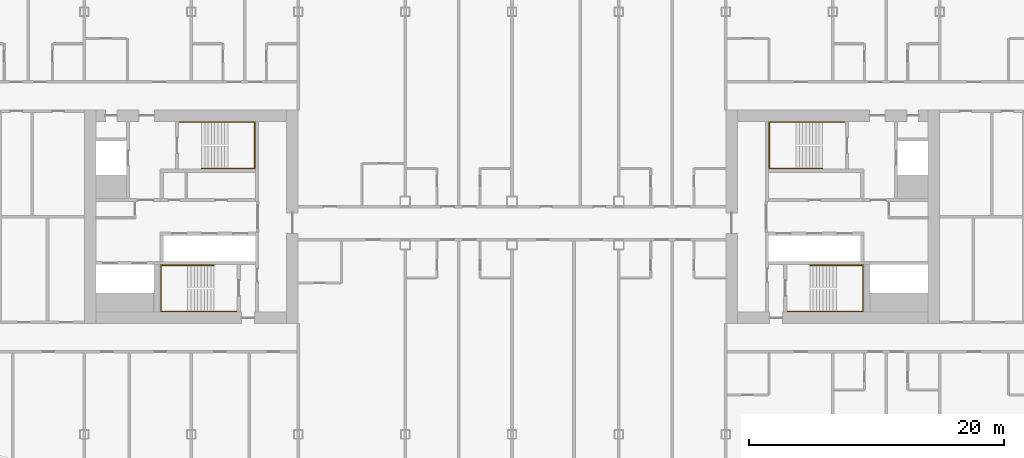
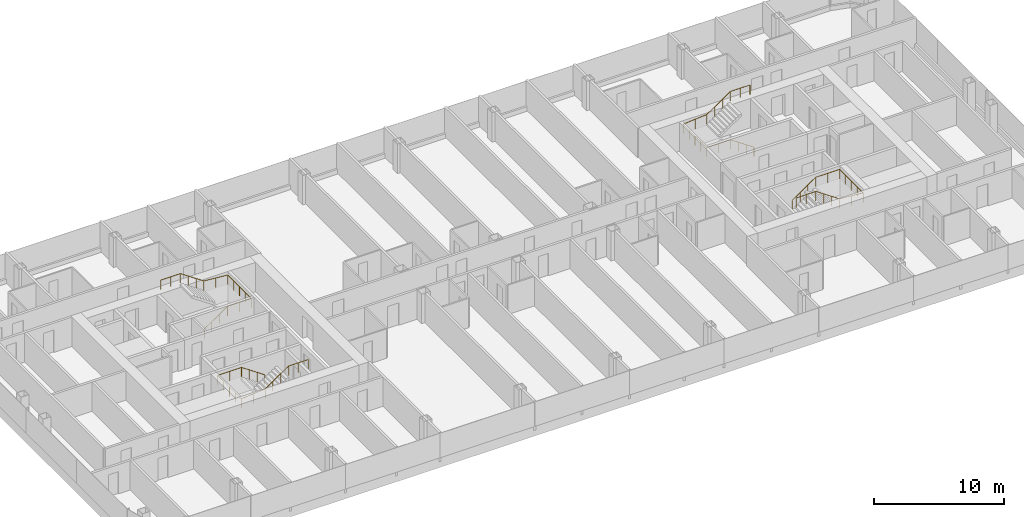
# One storey, part 26 of 26: 4 railings.
"""IFC4 building model written with IfcOpenShell, lengths in metres."""

from ifc_helpers import new_model, si_unit, direction, frame, origin, origin_2d, place, context, subcontext, project, spatial, circle, extrude, material, type_object, element, save


model = new_model("IFC4")

# Units and contexts
model_context = context("Model", 3, precision=1e-05, world=origin(), true_north=direction((0.0, 1.0)))
body_context = subcontext(model_context, "Body", "Model", "MODEL_VIEW")
ifc_project = project(units=[si_unit("LENGTHUNIT", "METRE"), si_unit("AREAUNIT", "SQUARE_METRE"), si_unit("VOLUMEUNIT", "CUBIC_METRE"), si_unit("PLANEANGLEUNIT", "RADIAN"), si_unit("MASSUNIT", "GRAM", prefix="KILO")], contexts=[model_context])

# Site, building, storey
site_placement = place(None, origin())
site = spatial("IfcSite", under=ifc_project, at=site_placement, CompositionType="ELEMENT")
building_placement = place(site_placement, origin())
building = spatial("IfcBuilding", under=site, at=building_placement, Name="Hakoniwa Tower and Hamabe Station Hall", CompositionType="ELEMENT")
storey_placement = place(building_placement, frame((0.0, 0.0, 169.39990234375)))
storey = spatial("IfcBuildingStorey", under=building, at=storey_placement, Name="L48", CompositionType="ELEMENT", Elevation=169.39990234375)

# Railings
ifc_material = material(Name="Stainless steel SUS304", Category="steel")
railing_type = type_object("IfcRailingType", Name="STAIR HANDRAIL 900", PredefinedType="HANDRAIL", material=ifc_material)
railing_1_placement = place(storey_placement, frame((-24.39990234375, 3.81005859375, 0.177978515625)))
element("IfcRailing", 1, at=railing_1_placement, inside=storey, type_object=railing_type, Name="Handrail ST-1 L48 1", PredefinedType="HANDRAIL", context=body_context, shape_type="SweptSolid", body=[
    extrude(circle(Radius=0.02392578125, at=origin_2d()), frame((0.0, 0.0, 0.8759765625), z_axis=(0.825478349766, 0.0, 0.564433781827), x_axis=(0.0, 1.0, 0.0)), (0.0, 0.0, 1.0), 2.51953125),
    extrude(circle(Radius=0.02392578125, at=origin_2d()), frame((2.079833984375, 0.0, 2.2978515625), z_axis=(1.0, 0.0, 0.0), x_axis=(0.0, 1.0, 0.0)), (0.0, 0.0, 1.0), 2.110107421875),
    extrude(circle(Radius=0.02392578125, at=origin_2d()), frame((4.18994140625, 0.0, 2.2978515625), z_axis=(0.0, 1.0, 0.0), x_axis=(-1.0, 0.0, 0.0)), (0.0, 0.0, 1.0), 3.6298828125),
    extrude(circle(Radius=0.02392578125, at=origin_2d()), frame((4.18994140625, 3.6298828125, 2.2978515625), z_axis=(-0.996471417081, 0.0, 0.083932800143), x_axis=(0.0, -1.0, 0.0)), (0.0, 0.0, 1.0), 2.11767578125),
    extrude(circle(Radius=0.02392578125, at=origin_2d()), frame((2.079833984375, 3.6298828125, 2.4755859375), z_axis=(-0.825433201882, 0.0, 0.564499804456), x_axis=(0.0, -1.0, 0.0)), (0.0, 0.0, 1.0), 2.519775390625),
    extrude(circle(Radius=0.02392578125, at=origin_2d()), frame((0.0, 3.6298828125, 3.89794921875), z_axis=(-1.0, 0.0, 0.0), x_axis=(0.0, -1.0, 0.0)), (0.0, 0.0, 1.0), 1.739990234375),
    extrude(circle(Radius=0.02099609375, at=origin_2d()), origin(), (0.0, 0.0, 1.0), 0.851806640625),
    extrude(circle(Radius=0.02099609375, at=origin_2d()), frame((0.693359375, 0.0, 0.47412109375)), (0.0, 0.0, 1.0), 0.851806640625),
    extrude(circle(Radius=0.02099609375, at=origin_2d()), frame((1.386474609375, 0.0, 0.947998046875)), (0.0, 0.0, 1.0), 0.851806640625),
    extrude(circle(Radius=0.02099609375, at=origin_2d()), frame((2.079833984375, 0.0, 1.422119140625)), (0.0, 0.0, 1.0), 0.851806640625),
    extrude(circle(Radius=0.02099609375, at=origin_2d()), frame((3.134765625, 0.0, 1.422119140625)), (0.0, 0.0, 1.0), 0.851806640625),
    extrude(circle(Radius=0.02099609375, at=origin_2d()), frame((4.18994140625, 0.0, 1.422119140625)), (0.0, 0.0, 1.0), 0.851806640625),
    extrude(circle(Radius=0.02099609375, at=origin_2d()), frame((4.18994140625, 0.907470703125, 1.422119140625)), (0.0, 0.0, 1.0), 0.851806640625),
    extrude(circle(Radius=0.02099609375, at=origin_2d()), frame((4.18994140625, 1.81494140625, 1.422119140625)), (0.0, 0.0, 1.0), 0.851806640625),
    extrude(circle(Radius=0.02099609375, at=origin_2d()), frame((4.18994140625, 2.722412109375, 1.422119140625)), (0.0, 0.0, 1.0), 0.851806640625),
    extrude(circle(Radius=0.02099609375, at=origin_2d()), frame((4.18994140625, 3.6298828125, 1.422119140625)), (0.0, 0.0, 1.0), 0.851806640625),
    extrude(circle(Radius=0.02099609375, at=origin_2d()), frame((3.134765625, 3.6298828125, 1.510986328125)), (0.0, 0.0, 1.0), 0.851806640625),
    extrude(circle(Radius=0.02099609375, at=origin_2d()), frame((2.079833984375, 3.6298828125, 1.599853515625)), (0.0, 0.0, 1.0), 0.851806640625),
    extrude(circle(Radius=0.02099609375, at=origin_2d()), frame((1.386474609375, 3.6298828125, 2.073974609375)), (0.0, 0.0, 1.0), 0.851806640625),
    extrude(circle(Radius=0.02099609375, at=origin_2d()), frame((0.693359375, 3.6298828125, 2.548095703125)), (0.0, 0.0, 1.0), 0.851806640625),
    extrude(circle(Radius=0.02099609375, at=origin_2d()), frame((0.0, 3.6298828125, 3.022216796875)), (0.0, 0.0, 1.0), 0.851806640625),
    extrude(circle(Radius=0.02099609375, at=origin_2d()), frame((-0.8701171875, 3.6298828125, 3.022216796875)), (0.0, 0.0, 1.0), 0.851806640625),
    extrude(circle(Radius=0.02099609375, at=origin_2d()), frame((-1.739990234375, 3.6298828125, 3.022216796875)), (0.0, 0.0, 1.0), 0.851806640625),
])
railing_2_placement = place(storey_placement, frame((-23.39990234375, -3.81005859375, 0.177978515625)))
element("IfcRailing", 2, at=railing_2_placement, inside=storey, type_object=railing_type, Name="Handrail ST-2 L48 1", PredefinedType="HANDRAIL", context=body_context, shape_type="SweptSolid", body=[
    extrude(circle(Radius=0.02392578125, at=origin_2d()), frame((0.0, 0.0, 0.8759765625), z_axis=(-0.82550921652, 0.0, 0.564388636881), x_axis=(0.0, -1.0, 0.0)), (0.0, 0.0, 1.0), 2.519775390625),
    extrude(circle(Radius=0.02392578125, at=origin_2d()), frame((-2.080078125, 0.0, 2.2978515625), z_axis=(-1.0, 0.0, 0.0), x_axis=(0.0, -1.0, 0.0)), (0.0, 0.0, 1.0), 2.110107421875),
    extrude(circle(Radius=0.02392578125, at=origin_2d()), frame((-4.190185546875, 0.0, 2.2978515625), z_axis=(0.0, -1.0, 0.0), x_axis=(1.0, 0.0, 0.0)), (0.0, 0.0, 1.0), 3.6298828125),
    extrude(circle(Radius=0.02392578125, at=origin_2d()), frame((-4.190185546875, -3.6298828125, 2.2978515625), z_axis=(0.996471417081, 0.0, 0.083932800143), x_axis=(0.0, 1.0, 0.0)), (0.0, 0.0, 1.0), 2.11767578125),
    extrude(circle(Radius=0.02392578125, at=origin_2d()), frame((-2.080078125, -3.6298828125, 2.4755859375), z_axis=(0.825464074169, 0.0, 0.564454659168), x_axis=(0.0, 1.0, 0.0)), (0.0, 0.0, 1.0), 2.519775390625),
    extrude(circle(Radius=0.02392578125, at=origin_2d()), frame((0.0, -3.6298828125, 3.89794921875), z_axis=(1.0, 0.0, 0.0), x_axis=(0.0, 1.0, 0.0)), (0.0, 0.0, 1.0), 1.739990234375),
    extrude(circle(Radius=0.02099609375, at=origin_2d()), origin(), (0.0, 0.0, 1.0), 0.851806640625),
    extrude(circle(Radius=0.02099609375, at=origin_2d()), frame((-0.693359375, 0.0, 0.47412109375)), (0.0, 0.0, 1.0), 0.851806640625),
    extrude(circle(Radius=0.02099609375, at=origin_2d()), frame((-1.38671875, 0.0, 0.947998046875)), (0.0, 0.0, 1.0), 0.851806640625),
    extrude(circle(Radius=0.02099609375, at=origin_2d()), frame((-2.080078125, 0.0, 1.422119140625)), (0.0, 0.0, 1.0), 0.851806640625),
    extrude(circle(Radius=0.02099609375, at=origin_2d()), frame((-3.13525390625, 0.0, 1.422119140625)), (0.0, 0.0, 1.0), 0.851806640625),
    extrude(circle(Radius=0.02099609375, at=origin_2d()), frame((-4.190185546875, 0.0, 1.422119140625)), (0.0, 0.0, 1.0), 0.851806640625),
    extrude(circle(Radius=0.02099609375, at=origin_2d()), frame((-4.190185546875, -0.907470703125, 1.422119140625)), (0.0, 0.0, 1.0), 0.851806640625),
    extrude(circle(Radius=0.02099609375, at=origin_2d()), frame((-4.190185546875, -1.81494140625, 1.422119140625)), (0.0, 0.0, 1.0), 0.851806640625),
    extrude(circle(Radius=0.02099609375, at=origin_2d()), frame((-4.190185546875, -2.722412109375, 1.422119140625)), (0.0, 0.0, 1.0), 0.851806640625),
    extrude(circle(Radius=0.02099609375, at=origin_2d()), frame((-4.190185546875, -3.6298828125, 1.422119140625)), (0.0, 0.0, 1.0), 0.851806640625),
    extrude(circle(Radius=0.02099609375, at=origin_2d()), frame((-3.13525390625, -3.6298828125, 1.510986328125)), (0.0, 0.0, 1.0), 0.851806640625),
    extrude(circle(Radius=0.02099609375, at=origin_2d()), frame((-2.080078125, -3.6298828125, 1.599853515625)), (0.0, 0.0, 1.0), 0.851806640625),
    extrude(circle(Radius=0.02099609375, at=origin_2d()), frame((-1.38671875, -3.6298828125, 2.073974609375)), (0.0, 0.0, 1.0), 0.851806640625),
    extrude(circle(Radius=0.02099609375, at=origin_2d()), frame((-0.693359375, -3.6298828125, 2.548095703125)), (0.0, 0.0, 1.0), 0.851806640625),
    extrude(circle(Radius=0.02099609375, at=origin_2d()), frame((0.0, -3.6298828125, 3.022216796875)), (0.0, 0.0, 1.0), 0.851806640625),
    extrude(circle(Radius=0.02099609375, at=origin_2d()), frame((0.8701171875, -3.6298828125, 3.022216796875)), (0.0, 0.0, 1.0), 0.851806640625),
    extrude(circle(Radius=0.02099609375, at=origin_2d()), frame((1.739990234375, -3.6298828125, 3.022216796875)), (0.0, 0.0, 1.0), 0.851806640625),
])
railing_3_placement = place(storey_placement, frame((24.39990234375, 3.81005859375, 0.177978515625)))
element("IfcRailing", 3, at=railing_3_placement, inside=storey, type_object=railing_type, Name="Handrail ST-3 L48 1", PredefinedType="HANDRAIL", context=body_context, shape_type="SweptSolid", body=[
    extrude(circle(Radius=0.02392578125, at=origin_2d()), frame((0.0, 0.0, 0.8759765625), z_axis=(-0.825478349766, 0.0, 0.564433781827), x_axis=(0.0, -1.0, 0.0)), (0.0, 0.0, 1.0), 2.51953125),
    extrude(circle(Radius=0.02392578125, at=origin_2d()), frame((-2.079833984375, 0.0, 2.2978515625), z_axis=(-1.0, 0.0, 0.0), x_axis=(0.0, -1.0, 0.0)), (0.0, 0.0, 1.0), 2.110107421875),
    extrude(circle(Radius=0.02392578125, at=origin_2d()), frame((-4.18994140625, 0.0, 2.2978515625), z_axis=(0.0, 1.0, 0.0), x_axis=(-1.0, 0.0, 0.0)), (0.0, 0.0, 1.0), 3.6298828125),
    extrude(circle(Radius=0.02392578125, at=origin_2d()), frame((-4.18994140625, 3.6298828125, 2.2978515625), z_axis=(0.996471417081, 0.0, 0.083932800143), x_axis=(0.0, 1.0, 0.0)), (0.0, 0.0, 1.0), 2.11767578125),
    extrude(circle(Radius=0.02392578125, at=origin_2d()), frame((-2.079833984375, 3.6298828125, 2.4755859375), z_axis=(0.825433201882, 0.0, 0.564499804456), x_axis=(0.0, 1.0, 0.0)), (0.0, 0.0, 1.0), 2.519775390625),
    extrude(circle(Radius=0.02392578125, at=origin_2d()), frame((0.0, 3.6298828125, 3.89794921875), z_axis=(1.0, 0.0, 0.0), x_axis=(0.0, 1.0, 0.0)), (0.0, 0.0, 1.0), 1.739990234375),
    extrude(circle(Radius=0.02099609375, at=origin_2d()), origin(), (0.0, 0.0, 1.0), 0.851806640625),
    extrude(circle(Radius=0.02099609375, at=origin_2d()), frame((-0.693359375, 0.0, 0.47412109375)), (0.0, 0.0, 1.0), 0.851806640625),
    extrude(circle(Radius=0.02099609375, at=origin_2d()), frame((-1.386474609375, 0.0, 0.947998046875)), (0.0, 0.0, 1.0), 0.851806640625),
    extrude(circle(Radius=0.02099609375, at=origin_2d()), frame((-2.079833984375, 0.0, 1.422119140625)), (0.0, 0.0, 1.0), 0.851806640625),
    extrude(circle(Radius=0.02099609375, at=origin_2d()), frame((-3.134765625, 0.0, 1.422119140625)), (0.0, 0.0, 1.0), 0.851806640625),
    extrude(circle(Radius=0.02099609375, at=origin_2d()), frame((-4.18994140625, 0.0, 1.422119140625)), (0.0, 0.0, 1.0), 0.851806640625),
    extrude(circle(Radius=0.02099609375, at=origin_2d()), frame((-4.18994140625, 0.907470703125, 1.422119140625)), (0.0, 0.0, 1.0), 0.851806640625),
    extrude(circle(Radius=0.02099609375, at=origin_2d()), frame((-4.18994140625, 1.81494140625, 1.422119140625)), (0.0, 0.0, 1.0), 0.851806640625),
    extrude(circle(Radius=0.02099609375, at=origin_2d()), frame((-4.18994140625, 2.722412109375, 1.422119140625)), (0.0, 0.0, 1.0), 0.851806640625),
    extrude(circle(Radius=0.02099609375, at=origin_2d()), frame((-4.18994140625, 3.6298828125, 1.422119140625)), (0.0, 0.0, 1.0), 0.851806640625),
    extrude(circle(Radius=0.02099609375, at=origin_2d()), frame((-3.134765625, 3.6298828125, 1.510986328125)), (0.0, 0.0, 1.0), 0.851806640625),
    extrude(circle(Radius=0.02099609375, at=origin_2d()), frame((-2.079833984375, 3.6298828125, 1.599853515625)), (0.0, 0.0, 1.0), 0.851806640625),
    extrude(circle(Radius=0.02099609375, at=origin_2d()), frame((-1.386474609375, 3.6298828125, 2.073974609375)), (0.0, 0.0, 1.0), 0.851806640625),
    extrude(circle(Radius=0.02099609375, at=origin_2d()), frame((-0.693359375, 3.6298828125, 2.548095703125)), (0.0, 0.0, 1.0), 0.851806640625),
    extrude(circle(Radius=0.02099609375, at=origin_2d()), frame((0.0, 3.6298828125, 3.022216796875)), (0.0, 0.0, 1.0), 0.851806640625),
    extrude(circle(Radius=0.02099609375, at=origin_2d()), frame((0.8701171875, 3.6298828125, 3.022216796875)), (0.0, 0.0, 1.0), 0.851806640625),
    extrude(circle(Radius=0.02099609375, at=origin_2d()), frame((1.739990234375, 3.6298828125, 3.022216796875)), (0.0, 0.0, 1.0), 0.851806640625),
])
railing_4_placement = place(storey_placement, frame((23.39990234375, -3.81005859375, 0.177978515625)))
element("IfcRailing", 4, at=railing_4_placement, inside=storey, type_object=railing_type, Name="Handrail ST-4 L48 1", PredefinedType="HANDRAIL", context=body_context, shape_type="SweptSolid", body=[
    extrude(circle(Radius=0.02392578125, at=origin_2d()), frame((0.0, 0.0, 0.8759765625), z_axis=(0.82550921652, 0.0, 0.564388636881), x_axis=(0.0, 1.0, 0.0)), (0.0, 0.0, 1.0), 2.519775390625),
    extrude(circle(Radius=0.02392578125, at=origin_2d()), frame((2.080078125, 0.0, 2.2978515625), z_axis=(1.0, 0.0, 0.0), x_axis=(0.0, 1.0, 0.0)), (0.0, 0.0, 1.0), 2.110107421875),
    extrude(circle(Radius=0.02392578125, at=origin_2d()), frame((4.190185546875, 0.0, 2.2978515625), z_axis=(0.0, -1.0, 0.0), x_axis=(1.0, 0.0, 0.0)), (0.0, 0.0, 1.0), 3.6298828125),
    extrude(circle(Radius=0.02392578125, at=origin_2d()), frame((4.190185546875, -3.6298828125, 2.2978515625), z_axis=(-0.996471417081, 0.0, 0.083932800143), x_axis=(0.0, -1.0, 0.0)), (0.0, 0.0, 1.0), 2.11767578125),
    extrude(circle(Radius=0.02392578125, at=origin_2d()), frame((2.080078125, -3.6298828125, 2.4755859375), z_axis=(-0.825464074169, 0.0, 0.564454659168), x_axis=(0.0, -1.0, 0.0)), (0.0, 0.0, 1.0), 2.519775390625),
    extrude(circle(Radius=0.02392578125, at=origin_2d()), frame((0.0, -3.6298828125, 3.89794921875), z_axis=(-1.0, 0.0, 0.0), x_axis=(0.0, -1.0, 0.0)), (0.0, 0.0, 1.0), 1.739990234375),
    extrude(circle(Radius=0.02099609375, at=origin_2d()), origin(), (0.0, 0.0, 1.0), 0.851806640625),
    extrude(circle(Radius=0.02099609375, at=origin_2d()), frame((0.693359375, 0.0, 0.47412109375)), (0.0, 0.0, 1.0), 0.851806640625),
    extrude(circle(Radius=0.02099609375, at=origin_2d()), frame((1.38671875, 0.0, 0.947998046875)), (0.0, 0.0, 1.0), 0.851806640625),
    extrude(circle(Radius=0.02099609375, at=origin_2d()), frame((2.080078125, 0.0, 1.422119140625)), (0.0, 0.0, 1.0), 0.851806640625),
    extrude(circle(Radius=0.02099609375, at=origin_2d()), frame((3.13525390625, 0.0, 1.422119140625)), (0.0, 0.0, 1.0), 0.851806640625),
    extrude(circle(Radius=0.02099609375, at=origin_2d()), frame((4.190185546875, 0.0, 1.422119140625)), (0.0, 0.0, 1.0), 0.851806640625),
    extrude(circle(Radius=0.02099609375, at=origin_2d()), frame((4.190185546875, -0.907470703125, 1.422119140625)), (0.0, 0.0, 1.0), 0.851806640625),
    extrude(circle(Radius=0.02099609375, at=origin_2d()), frame((4.190185546875, -1.81494140625, 1.422119140625)), (0.0, 0.0, 1.0), 0.851806640625),
    extrude(circle(Radius=0.02099609375, at=origin_2d()), frame((4.190185546875, -2.722412109375, 1.422119140625)), (0.0, 0.0, 1.0), 0.851806640625),
    extrude(circle(Radius=0.02099609375, at=origin_2d()), frame((4.190185546875, -3.6298828125, 1.422119140625)), (0.0, 0.0, 1.0), 0.851806640625),
    extrude(circle(Radius=0.02099609375, at=origin_2d()), frame((3.13525390625, -3.6298828125, 1.510986328125)), (0.0, 0.0, 1.0), 0.851806640625),
    extrude(circle(Radius=0.02099609375, at=origin_2d()), frame((2.080078125, -3.6298828125, 1.599853515625)), (0.0, 0.0, 1.0), 0.851806640625),
    extrude(circle(Radius=0.02099609375, at=origin_2d()), frame((1.38671875, -3.6298828125, 2.073974609375)), (0.0, 0.0, 1.0), 0.851806640625),
    extrude(circle(Radius=0.02099609375, at=origin_2d()), frame((0.693359375, -3.6298828125, 2.548095703125)), (0.0, 0.0, 1.0), 0.851806640625),
    extrude(circle(Radius=0.02099609375, at=origin_2d()), frame((0.0, -3.6298828125, 3.022216796875)), (0.0, 0.0, 1.0), 0.851806640625),
    extrude(circle(Radius=0.02099609375, at=origin_2d()), frame((-0.8701171875, -3.6298828125, 3.022216796875)), (0.0, 0.0, 1.0), 0.851806640625),
    extrude(circle(Radius=0.02099609375, at=origin_2d()), frame((-1.739990234375, -3.6298828125, 3.022216796875)), (0.0, 0.0, 1.0), 0.851806640625),
])

save(model, "model.ifc")
